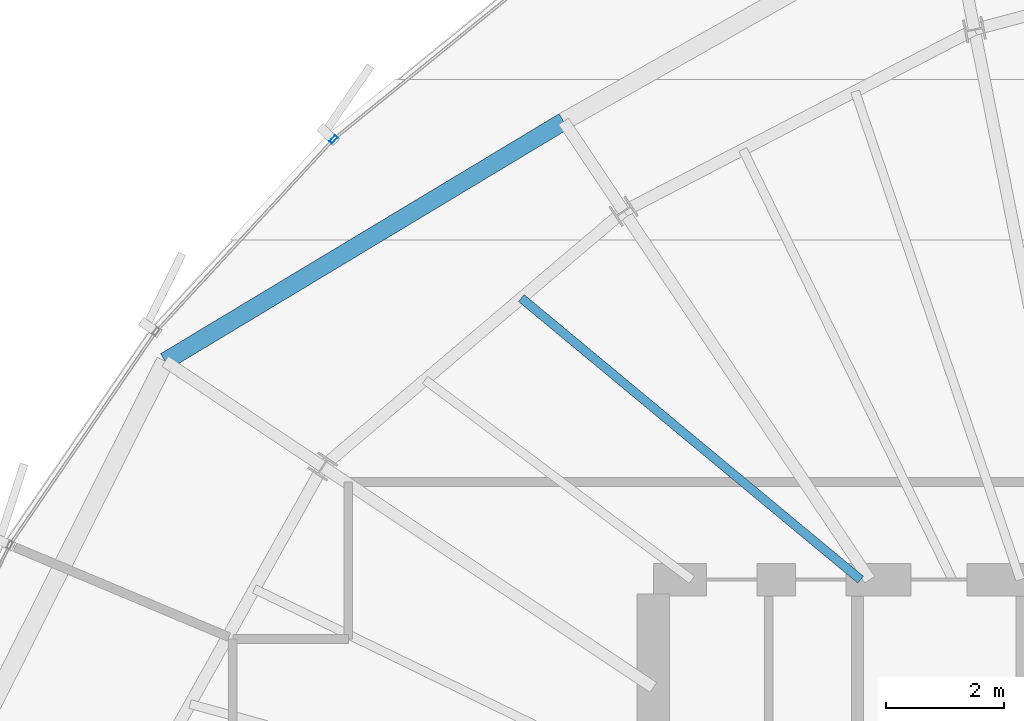
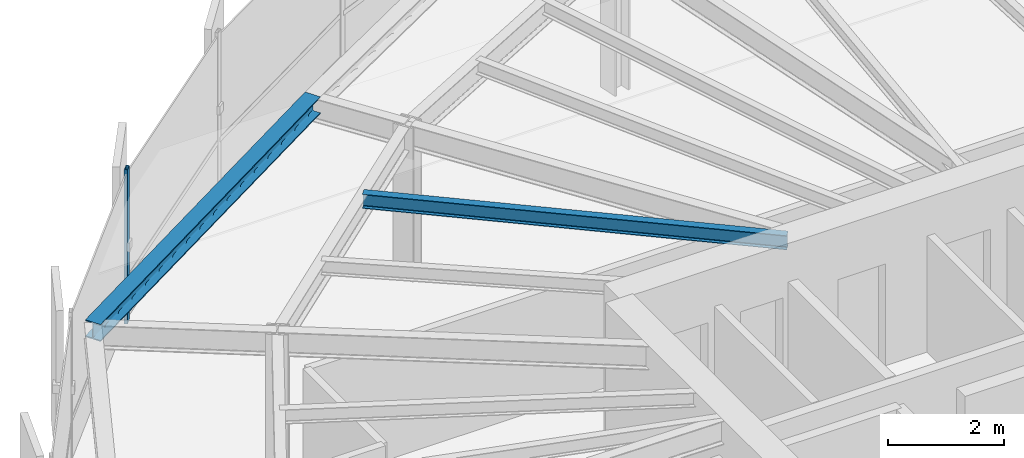
# One storey, part 19 of 34: 2 beams, 1 member, 1 element without a shape of its own.
"""IFC4 building model written with IfcOpenShell, lengths in metres."""

from ifc_helpers import new_model, si_unit, direction, frame, origin, origin_2d, place, context, subcontext, project, spatial, hollow_rectangle, i_section, extrude, source, transform, mapped, material, layer, layer_set, material_profile, profile_set, type_object, element, aggregate, save


model = new_model("IFC4")

# Units and contexts
model_context = context("Model", 3, precision=1e-05, world=origin(), true_north=direction((0.0, 1.0)))
body_context = subcontext(model_context, "Body", "Model", "MODEL_VIEW")
ifc_project = project(units=[si_unit("LENGTHUNIT", "METRE"), si_unit("AREAUNIT", "SQUARE_METRE"), si_unit("VOLUMEUNIT", "CUBIC_METRE"), si_unit("PLANEANGLEUNIT", "RADIAN"), si_unit("MASSUNIT", "GRAM", prefix="KILO"), si_unit("THERMODYNAMICTEMPERATUREUNIT", "KELVIN")], contexts=[model_context])

# Site, building, storey
site_placement = place(None, origin())
site = spatial("IfcSite", under=ifc_project, at=site_placement, CompositionType="ELEMENT")
building_placement = place(site_placement, origin())
building = spatial("IfcBuilding", under=site, at=building_placement, Name="Kethvar Cultural Tower", CompositionType="ELEMENT")
storey_placement = place(building_placement, frame((0.0, 0.0, 207.89990234375)))
storey = spatial("IfcBuildingStorey", under=building, at=storey_placement, Name="L54", CompositionType="ELEMENT", Elevation=207.89990234375)

# Beams
ifc_material_1 = material(Name="Steel S355J2", Category="steel")
ifc_material_profile_1 = material_profile(ifc_material_1, i_section(OverallWidth=0.14990234375, OverallDepth=0.300048828125, WebThickness=0.007080078125, FlangeThickness=0.0107421875, FilletRadius=0.014892578125, at=origin_2d()), Name="Steel S355J2 — IPE300")
ifc_profile_set_1 = profile_set([ifc_material_profile_1], Name="Steel S355J2 — IPE300")
beam_type_1 = type_object("IfcBeamType", Name="BM-J300", PredefinedType="JOIST", material=ifc_profile_set_1)
shared_shape_1 = source(origin(), body_context, "Body", "SweptSolid", [
    extrude(i_section(OverallWidth=0.14990234375, OverallDepth=0.300048828125, WebThickness=0.007080078125, FlangeThickness=0.0107421875, FilletRadius=0.014892578125, at=origin_2d()), origin(), (0.0, 0.0, 1.0), 7.444580078125),
])
beam_1_placement = place(storey_placement, frame((41.5, 35.5, 3.108154296875), z_axis=(-0.769483166858, 0.638667093188, 0.0), x_axis=(-0.638667093188, -0.769483166858, 0.0)))
element("IfcBeam", 1, at=beam_1_placement, inside=storey, type_object=beam_type_1, Name="L54 Composite Floor Joist J-06A", PredefinedType="JOIST", context=body_context, shape_type="MappedRepresentation", body=[
    mapped(shared_shape_1, transform((0.0, 0.0, 0.0), scale=1.0)),
])
ifc_material_profile_2 = material_profile(ifc_material_1, i_section(OverallWidth=0.300048828125, OverallDepth=0.360107421875, WebThickness=0.012451171875, FlangeThickness=0.0224609375, FilletRadius=0.027099609375, at=origin_2d()), Name="Steel S355J2 — HEB360")
ifc_profile_set_2 = profile_set([ifc_material_profile_2], Name="Steel S355J2 — HEB360")
beam_type_2 = type_object("IfcBeamType", Name="BM-SP360", PredefinedType="SPANDREL", material=ifc_profile_set_2)
shared_shape_2 = source(origin(), body_context, "Body", "SweptSolid", [
    extrude(i_section(OverallWidth=0.300048828125, OverallDepth=0.360107421875, WebThickness=0.012451171875, FlangeThickness=0.0224609375, FilletRadius=0.027099609375, at=origin_2d()), origin(), (0.0, 0.0, 1.0), 7.8525390625),
])
beam_2_placement = place(storey_placement, frame((36.485107421875, 43.2373046875, 3.078125), z_axis=(-0.856732100017, -0.515761678298, 0.0), x_axis=(0.515761678298, -0.856732100017, 0.0)))
element("IfcBeam", 2, at=beam_2_placement, inside=storey, type_object=beam_type_2, Name="L54 Perimeter Spandrel Beam SP-06", PredefinedType="SPANDREL", context=body_context, shape_type="MappedRepresentation", body=[
    mapped(shared_shape_2, transform((0.0, 0.0, 0.0), scale=1.0)),
])

# Curtain wall, member
ifc_material_2 = material(Name="Aluminium 6063-T6", Category="aluminium")
ifc_layer = layer(ifc_material_2, 0.179931640625, Name="Aluminium 6063-T6", Category="aluminium")
ifc_layer_set = layer_set([ifc_layer], Name="Aluminium 6063-T6 (180 mm)")
curtain_wall_type = type_object("IfcCurtainWallType", Name="CW-SYS-04-Z34", PredefinedType="NOTDEFINED", material=ifc_layer_set)
curtain_wall_placement = place(storey_placement, origin())
curtain_wall = element("IfcCurtainWall", 3, at=curtain_wall_placement, inside=storey, type_object=curtain_wall_type, Name="L54 Curtain Wall Run 02", PredefinedType="NOTDEFINED")
ifc_material_profile_3 = material_profile(ifc_material_2, hollow_rectangle(XDim=0.06005859375, YDim=0.139892578125, WallThickness=0.0048828125, at=origin_2d()), Name="Aluminium 6063-T6 — RHS140x60x5")
ifc_profile_set_3 = profile_set([ifc_material_profile_3], Name="Aluminium 6063-T6 — RHS140x60x5")
member_type = type_object("IfcMemberType", Name="CW-SYS-04-Z34-MUL", PredefinedType="MULLION", material=ifc_profile_set_3)
shared_shape_3 = source(origin(), body_context, "Body", "SweptSolid", [
    extrude(hollow_rectangle(XDim=0.06005859375, YDim=0.139892578125, WallThickness=0.0048828125, at=origin_2d()), origin(), (0.0, 0.0, 1.0), 3.260009765625),
])
member_placement = place(storey_placement, frame((32.5986328125, 42.934326171875, 0.0), z_axis=(0.0, 0.0, 1.0), x_axis=(0.7349501025, -0.6781211889, 0.0)))
member = element("IfcMember", 4, at=member_placement, type_object=member_type, Name="CW-L54-R02 Mullion 4", PredefinedType="MULLION", context=body_context, shape_type="MappedRepresentation", body=[
    mapped(shared_shape_3, transform((0.0, 0.0, 0.0), scale=1.0)),
])
aggregate(curtain_wall, [member])

save(model, "model.ifc")
